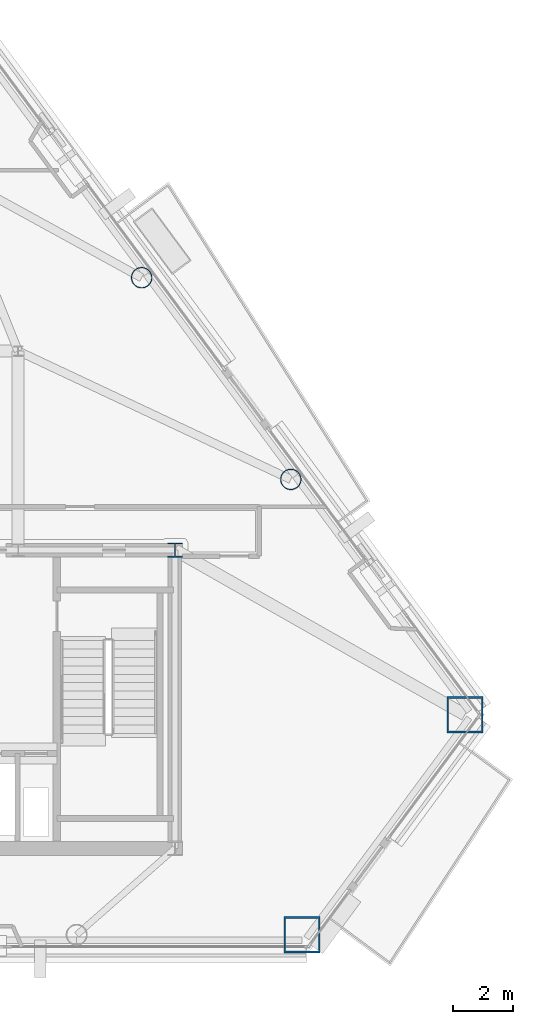
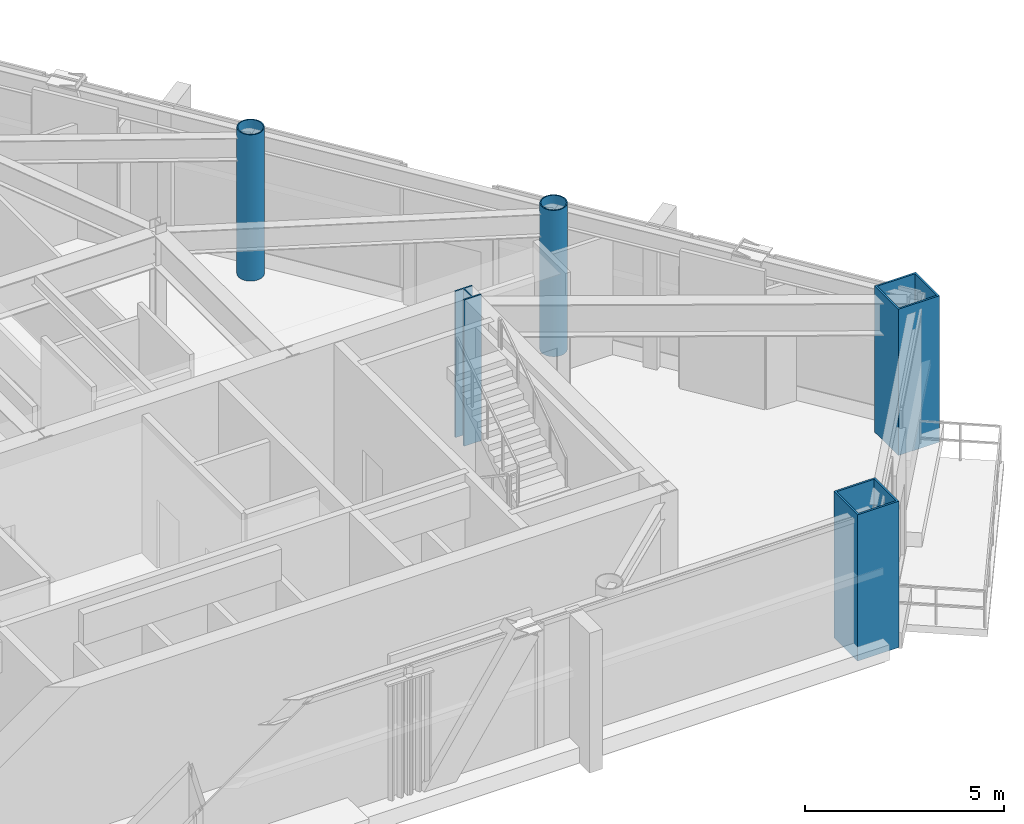
# One storey, part 2 of 11: 5 columns.
"""IFC4 building model written with IfcOpenShell, lengths in metres."""

from ifc_helpers import new_model, si_unit, direction, frame, origin, origin_2d, place, context, subcontext, project, spatial, hollow_rectangle, hollow_circle, i_section, extrude, material, material_profile, profile_set, type_object, element, save


model = new_model("IFC4")

# Units and contexts
model_context = context("Model", 3, precision=1e-05, world=origin(), true_north=direction((0.0, 1.0)))
body_context = subcontext(model_context, "Body", "Model", "MODEL_VIEW")
ifc_project = project(units=[si_unit("LENGTHUNIT", "METRE"), si_unit("AREAUNIT", "SQUARE_METRE"), si_unit("VOLUMEUNIT", "CUBIC_METRE"), si_unit("PLANEANGLEUNIT", "RADIAN"), si_unit("MASSUNIT", "GRAM", prefix="KILO")], contexts=[model_context])

# Site, building, storey
site_placement = place(None, origin())
site = spatial("IfcSite", under=ifc_project, at=site_placement, CompositionType="ELEMENT")
building_placement = place(site_placement, origin())
building = spatial("IfcBuilding", under=site, at=building_placement, Name="Talgorran Terracotta Tower", CompositionType="ELEMENT")
storey_placement = place(building_placement, frame((0.0, 0.0, 117.60009765625)))
storey = spatial("IfcBuildingStorey", under=building, at=storey_placement, Name="L30", CompositionType="ELEMENT", Elevation=117.60009765625)

# Columns
ifc_material_1 = material(Name="Steel S355 (300PLUS)", Category="steel")
ifc_material_profile_1 = material_profile(ifc_material_1, i_section(OverallWidth=0.5, OverallDepth=0.48193359375, WebThickness=0.0400390625, FlangeThickness=0.044921875, at=origin_2d()), Name="500WC440")
ifc_profile_set_1 = profile_set([ifc_material_profile_1], Name="Steel S355 (300PLUS)")
column_type_1 = type_object("IfcColumnType", Name="COL_500WC440", PredefinedType="COLUMN", material=ifc_profile_set_1)
column_placement = place(storey_placement, frame((12.39990234375, -4.199951171875, 0.0), z_axis=(0.0, 0.0, 1.0), x_axis=(1.0, 0.0, 0.0)))
element("IfcColumn", 1, at=column_placement, inside=storey, type_object=column_type_1, Name="L30 Core Boundary Column CC3", PredefinedType="COLUMN", context=body_context, shape_type="SweptSolid", body=[
    extrude(i_section(OverallWidth=0.5, OverallDepth=0.48193359375, WebThickness=0.0400390625, FlangeThickness=0.044921875, at=origin_2d()), origin(), (0.0, 0.0, 1.0), 4.5),
])
ifc_material_2 = material(Name="Steel Grade 350 (350L0)", Category="steel")
ifc_material_profile_2 = material_profile(ifc_material_2, hollow_rectangle(XDim=1.199951171875, YDim=1.199951171875, WallThickness=0.054931640625, at=origin_2d()), Name="CFT1200X1200X55")
ifc_profile_set_2 = profile_set([ifc_material_profile_2], Name="Steel Grade 350 (350L0)")
column_type_2 = type_object("IfcColumnType", Name="COL_CFT_1200", PredefinedType="COLUMN", material=ifc_profile_set_2)
for number, where, z_axis, x_axis, name in (
    (2, (16.618408203125, -16.96337890625, 0.0), (0.0, 0.0, 1.0), (1.0, 0.0, 0.0), "L30 Corner CFT Mega-Column MC3"),
    (3, (22.0185546875, -9.661865234375, 0.0), (0.0, 0.0, 1.0), (1.0, 0.0, 0.0), "L30 Corner CFT Mega-Column MC4"),
):
    element("IfcColumn", number, at=place(storey_placement, frame(where, z_axis=z_axis, x_axis=x_axis)), inside=storey, type_object=column_type_2, Name=name, PredefinedType="COLUMN", context=body_context, shape_type="SweptSolid", body=[
        extrude(hollow_rectangle(XDim=1.199951171875, YDim=1.199951171875, WallThickness=0.054931640625, at=origin_2d()), origin(), (0.0, 0.0, 1.0), 4.5),
    ])
ifc_material_profile_3 = material_profile(ifc_material_2, hollow_circle(Radius=0.35009765625, WallThickness=0.030029296875, at=origin_2d()), Name="CHS700X30")
ifc_profile_set_3 = profile_set([ifc_material_profile_3], Name="Steel Grade 350 (350L0)")
column_type_3 = type_object("IfcColumnType", Name="COL_CHS_700", PredefinedType="COLUMN", material=ifc_profile_set_3)
for number, where, z_axis, x_axis, name in (
    (4, (16.244873046875, -1.855712890625, 0.0), (0.0, 0.0, 1.0), (1.0, 0.0, 0.0), "L30 Facet Perimeter Column FC3"),
    (5, (11.296142578125, 4.835693359375, 0.0), (0.0, 0.0, 1.0), (1.0, 0.0, 0.0), "L30 Facet Perimeter Column FC4"),
):
    element("IfcColumn", number, at=place(storey_placement, frame(where, z_axis=z_axis, x_axis=x_axis)), inside=storey, type_object=column_type_3, Name=name, PredefinedType="COLUMN", context=body_context, shape_type="SweptSolid", body=[
        extrude(hollow_circle(Radius=0.35009765625, WallThickness=0.030029296875, at=origin_2d()), origin(), (0.0, 0.0, 1.0), 4.5),
    ])

save(model, "model.ifc")
